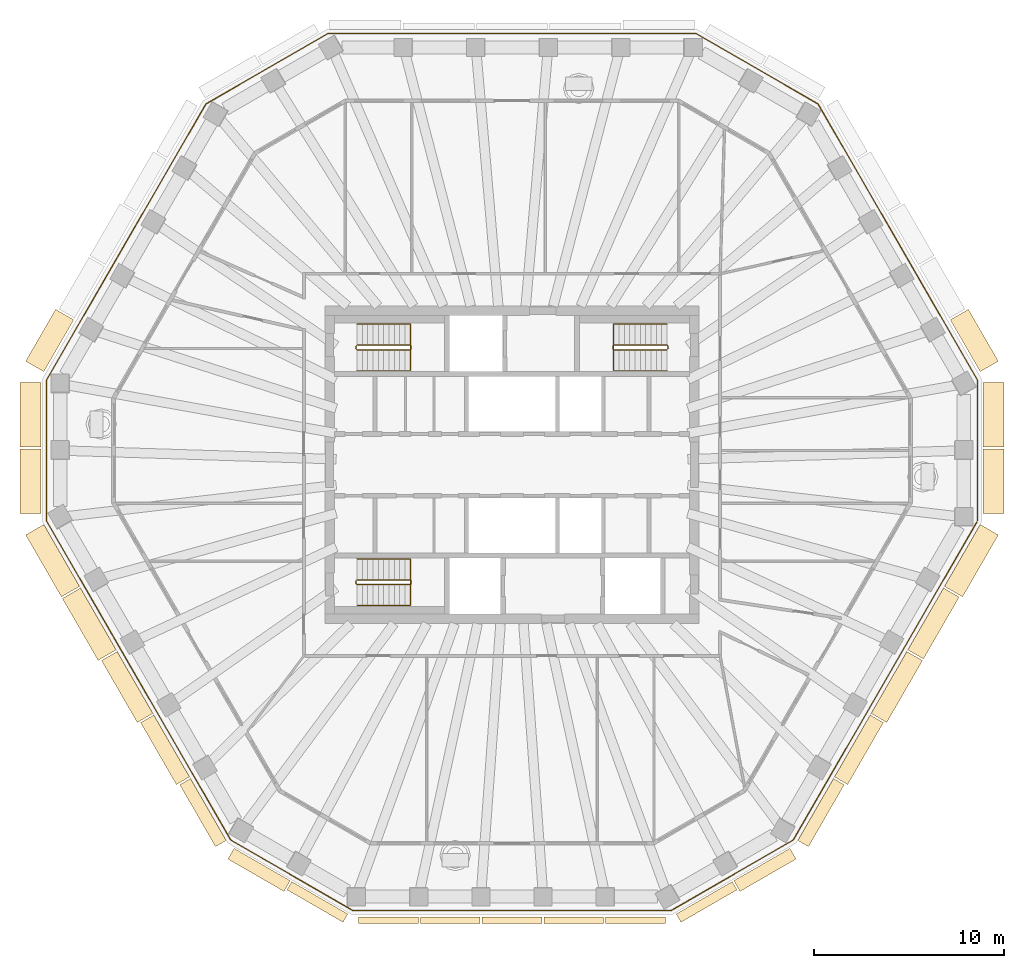
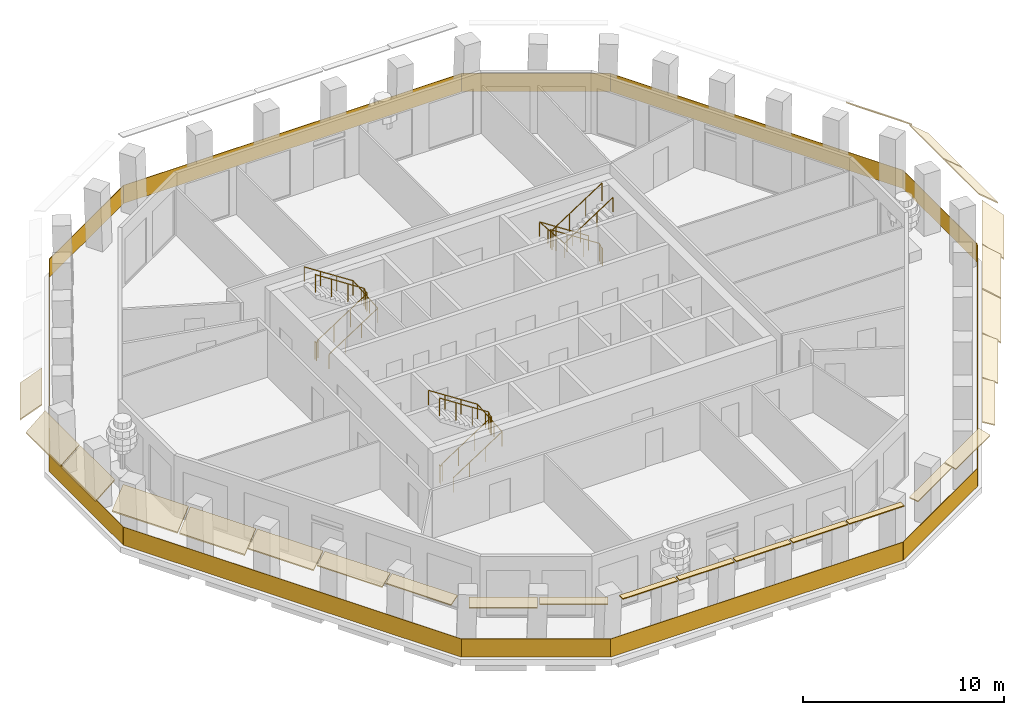
# One storey, part 8 of 11: 25 coverings, 7 railings.
"""IFC4 building model written with IfcOpenShell, lengths in metres."""

from ifc_helpers import new_model, si_unit, direction, frame, origin, origin_2d, place, context, subcontext, project, spatial, polyline, rectangle, circle, outline, extrude, material, layer, layer_set, type_object, element, save


model = new_model("IFC4")

# Units and contexts
model_context = context("Model", 3, precision=1e-05, world=origin(), true_north=direction((0.0, 1.0)))
body_context = subcontext(model_context, "Body", "Model", "MODEL_VIEW")
ifc_project = project(units=[si_unit("LENGTHUNIT", "METRE"), si_unit("AREAUNIT", "SQUARE_METRE"), si_unit("VOLUMEUNIT", "CUBIC_METRE"), si_unit("PLANEANGLEUNIT", "RADIAN"), si_unit("MASSUNIT", "GRAM", prefix="KILO")], contexts=[model_context])

# Site, building, storey
site_placement = place(None, origin())
site = spatial("IfcSite", under=ifc_project, at=site_placement, CompositionType="ELEMENT")
building_placement = place(site_placement, origin())
building = spatial("IfcBuilding", under=site, at=building_placement, Name="Frailejon Research Tower", CompositionType="ELEMENT")
storey_placement = place(building_placement, frame((0.0, 0.0, 287.0)))
storey = spatial("IfcBuildingStorey", under=building, at=storey_placement, Name="L63", CompositionType="ELEMENT", Elevation=287.0)

# Coverings
ifc_material_1 = material(Name="Precast concrete C50/60", Category="concrete")
ifc_layer_1 = layer(ifc_material_1, 0.06005859375)
ifc_layer_set_1 = layer_set([ifc_layer_1], Name="Brim blade depth 1100")
covering_type_1 = type_object("IfcCoveringType", Name="Brim blade depth 1100", PredefinedType="CLADDING", material=ifc_layer_set_1)
covering_1_placement = place(storey_placement, frame((24.78173828125, 0.829833984375, 3.85009765625), z_axis=(0.0, -1.0, 0.0), x_axis=(1.0, 0.0, 0.0)))
element("IfcCovering", 1, at=covering_1_placement, inside=storey, type_object=covering_type_1, Name="Brim blade L63", PredefinedType="CLADDING", context=body_context, shape_type="SweptSolid", body=[
    extrude(outline(polyline([(0.0, -0.078369140625), (1.10009765625, -1.001220703125), (1.10009765625, -0.923095703125), (0.0, 0.0), (0.0, -0.078369140625)])), origin(), (0.0, 0.0, 1.0), 3.40185546875),
])
covering_2_placement = place(storey_placement, frame((24.78173828125, 4.331787109375, 3.85009765625), z_axis=(0.0, -1.0, 0.0), x_axis=(1.0, 0.0, 0.0)))
element("IfcCovering", 2, at=covering_2_placement, inside=storey, type_object=covering_type_1, Name="Brim blade L63", PredefinedType="CLADDING", context=body_context, shape_type="SweptSolid", body=[
    extrude(outline(polyline([(0.0, -0.078369140625), (1.10009765625, -1.001220703125), (1.10009765625, -0.923095703125), (0.0, 0.0), (0.0, -0.078369140625)])), origin(), (0.0, 0.0, 1.0), 3.402099609375),
])
for number, where, z_axis, x_axis, name in (
    (3, (23.055419921875, 7.626708984375, 3.85009765625), (0.499999589783, -0.866025640623, 0.0), (0.866025640623, 0.499999589783, 0.0), "Brim blade L63"),
    (4, (-24.62939453125, 4.900146484375, 3.85009765625), (0.499999589783, 0.866025640623, 0.0), (-0.866025640623, 0.499999589783, 0.0), "Brim blade L63"),
):
    element("IfcCovering", number, at=place(storey_placement, frame(where, z_axis=z_axis, x_axis=x_axis)), inside=storey, type_object=covering_type_1, Name=name, PredefinedType="CLADDING", context=body_context, shape_type="SweptSolid", body=[
        extrude(outline(polyline([(0.0, -0.078369140625), (1.10009765625, -1.001220703125), (1.10009765625, -0.923095703125), (0.0, 0.0), (0.0, -0.078369140625)])), origin(), (0.0, 0.0, 1.0), 3.1484375),
    ])
covering_3_placement = place(storey_placement, frame((-24.78173828125, 0.929931640625, 3.85009765625), z_axis=(0.0, 1.0, 0.0), x_axis=(-1.0, 0.0, 0.0)))
element("IfcCovering", 5, at=covering_3_placement, inside=storey, type_object=covering_type_1, Name="Brim blade L63", PredefinedType="CLADDING", context=body_context, shape_type="SweptSolid", body=[
    extrude(outline(polyline([(0.0, -0.078369140625), (1.10009765625, -1.001220703125), (1.10009765625, -0.923095703125), (0.0, 0.0), (0.0, -0.078369140625)])), origin(), (0.0, 0.0, 1.0), 3.402099609375),
])
covering_4_placement = place(storey_placement, frame((-24.78173828125, -2.572021484375, 3.85009765625), z_axis=(0.0, 1.0, 0.0), x_axis=(-1.0, 0.0, 0.0)))
element("IfcCovering", 6, at=covering_4_placement, inside=storey, type_object=covering_type_1, Name="Brim blade L63", PredefinedType="CLADDING", context=body_context, shape_type="SweptSolid", body=[
    extrude(outline(polyline([(0.0, -0.078369140625), (1.10009765625, -1.001220703125), (1.10009765625, -0.923095703125), (0.0, 0.0), (0.0, -0.078369140625)])), origin(), (0.0, 0.0, 1.0), 3.40185546875),
])
for number, where, z_axis, x_axis, name in (
    (7, (-22.75048828125, -6.39501953125, 3.85009765625), (-0.499991695271, 0.866030198469, 0.0), (-0.866030198469, -0.499991695271, 0.0), "Brim blade L63"),
    (8, (-20.821533203125, -9.736083984375, 3.85009765625), (-0.499991695271, 0.866030198469, 0.0), (-0.866030198469, -0.499991695271, 0.0), "Brim blade L63"),
    (9, (24.62939453125, -3.140380859375, 3.85009765625), (-0.499991695271, -0.866030198469, 0.0), (0.866030198469, -0.499991695271, 0.0), "Brim blade L63"),
):
    element("IfcCovering", number, at=place(storey_placement, frame(where, z_axis=z_axis, x_axis=x_axis)), inside=storey, type_object=covering_type_1, Name=name, PredefinedType="CLADDING", context=body_context, shape_type="SweptSolid", body=[
        extrude(outline(polyline([(0.0, -0.078369140625), (1.10009765625, -1.001220703125), (1.10009765625, -0.923095703125), (0.0, 0.0), (0.0, -0.078369140625)])), origin(), (0.0, 0.0, 1.0), 3.758056640625),
    ])
ifc_material_2 = material(Name="Precast concrete C50/60", Category="concrete")
ifc_layer_2 = layer(ifc_material_2, 0.06005859375)
ifc_layer_set_2 = layer_set([ifc_layer_2], Name="Brim blade depth 350")
covering_type_2 = type_object("IfcCoveringType", Name="Brim blade depth 350", PredefinedType="CLADDING", material=ifc_layer_set_2)
for number, where, z_axis, x_axis, name in (
    (10, (-4.922607421875, -23.77978515625, 3.85009765625), (-1.0, 0.0, 0.0), (0.0, -1.0, 0.0), "Brim blade L63"),
    (11, (-1.67431640625, -23.77978515625, 3.85009765625), (-1.0, 0.0, 0.0), (0.0, -1.0, 0.0), "Brim blade L63"),
    (12, (1.57421875, -23.77978515625, 3.85009765625), (-1.0, 0.0, 0.0), (0.0, -1.0, 0.0), "Brim blade L63"),
    (13, (4.82275390625, -23.77978515625, 3.85009765625), (-1.0, 0.0, 0.0), (0.0, -1.0, 0.0), "Brim blade L63"),
    (14, (8.071044921875, -23.77978515625, 3.85009765625), (-1.0, 0.0, 0.0), (0.0, -1.0, 0.0), "Brim blade L63"),
):
    element("IfcCovering", number, at=place(storey_placement, frame(where, z_axis=z_axis, x_axis=x_axis)), inside=storey, type_object=covering_type_2, Name=name, PredefinedType="CLADDING", context=body_context, shape_type="SweptSolid", body=[
        extrude(outline(polyline([(0.0, -0.06005859375), (0.35009765625, -0.06005859375), (0.35009765625, 0.0), (0.0, 0.0), (0.0, -0.06005859375)])), origin(), (0.0, 0.0, 1.0), 3.1484375),
    ])
ifc_material_3 = material(Name="Precast concrete C50/60", Category="concrete")
ifc_layer_3 = layer(ifc_material_3, 0.06005859375)
ifc_layer_set_3 = layer_set([ifc_layer_3], Name="Brim blade depth 500")
covering_type_3 = type_object("IfcCoveringType", Name="Brim blade depth 500", PredefinedType="CLADDING", material=ifc_layer_set_3)
for number, where, z_axis, x_axis, name in (
    (15, (-8.639404296875, -23.627685546875, 3.85009765625), (-0.866036272098, 0.499981175056, 0.0), (-0.499981175056, -0.866036272098, 0.0), "Brim blade L63"),
    (16, (11.585693359375, -21.9267578125, 3.85009765625), (-0.866036272098, -0.499981175056, 0.0), (0.499981175056, -0.866036272098, 0.0), "Brim blade L63"),
):
    element("IfcCovering", number, at=place(storey_placement, frame(where, z_axis=z_axis, x_axis=x_axis)), inside=storey, type_object=covering_type_3, Name=name, PredefinedType="CLADDING", context=body_context, shape_type="SweptSolid", body=[
        extrude(outline(polyline([(0.0, -0.060546875), (0.5, -0.130859375), (0.5, -0.0703125), (0.0, 0.0), (0.0, -0.060546875)])), origin(), (0.0, 0.0, 1.0), 3.40185546875),
    ])
ifc_material_4 = material(Name="Precast concrete C50/60", Category="concrete")
ifc_layer_4 = layer(ifc_material_4, 0.06005859375)
ifc_layer_set_4 = layer_set([ifc_layer_4], Name="Brim blade depth 650")
covering_type_4 = type_object("IfcCoveringType", Name="Brim blade depth 650", PredefinedType="CLADDING", material=ifc_layer_set_4)
covering_5_placement = place(storey_placement, frame((-15.034423828125, -19.759765625, 3.85009765625), z_axis=(-0.499991695271, 0.866030198469, 0.0), x_axis=(-0.866030198469, -0.499991695271, 0.0)))
element("IfcCovering", 17, at=covering_5_placement, inside=storey, type_object=covering_type_4, Name="Brim blade L63", PredefinedType="CLADDING", context=body_context, shape_type="SweptSolid", body=[
    extrude(outline(polyline([(0.0, -0.0625), (0.64990234375, -0.248779296875), (0.64990234375, -0.186279296875), (0.0, 0.0), (0.0, -0.0625)])), origin(), (0.0, 0.0, 1.0), 3.758056640625),
])
for number, where, z_axis, x_axis, name in (
    (18, (-11.672119140625, -21.876708984375, 3.85009765625), (-0.866023907216, 0.500002592124, 0.0), (-0.500002592124, -0.866023907216, 0.0), "Brim blade L63"),
    (19, (14.618408203125, -20.17578125, 3.85009765625), (-0.866023907216, -0.500002592124, 0.0), (0.500002592124, -0.866023907216, 0.0), "Brim blade L63"),
):
    element("IfcCovering", number, at=place(storey_placement, frame(where, z_axis=z_axis, x_axis=x_axis)), inside=storey, type_object=covering_type_4, Name=name, PredefinedType="CLADDING", context=body_context, shape_type="SweptSolid", body=[
        extrude(outline(polyline([(0.0, -0.0625), (0.64990234375, -0.248779296875), (0.64990234375, -0.186279296875), (0.0, 0.0), (0.0, -0.0625)])), origin(), (0.0, 0.0, 1.0), 3.402099609375),
    ])
covering_6_placement = place(storey_placement, frame((16.913330078125, -16.505126953125, 3.85009765625), z_axis=(-0.499991695271, -0.866030198469, 0.0), x_axis=(0.866030198469, -0.499991695271, 0.0)))
element("IfcCovering", 20, at=covering_6_placement, inside=storey, type_object=covering_type_4, Name="Brim blade L63", PredefinedType="CLADDING", context=body_context, shape_type="SweptSolid", body=[
    extrude(outline(polyline([(0.0, -0.0625), (0.64990234375, -0.248779296875), (0.64990234375, -0.186279296875), (0.0, 0.0), (0.0, -0.0625)])), origin(), (0.0, 0.0, 1.0), 3.758056640625),
])
ifc_material_5 = material(Name="Precast concrete C50/60", Category="concrete")
ifc_layer_5 = layer(ifc_material_5, 0.06005859375)
ifc_layer_set_5 = layer_set([ifc_layer_5], Name="Brim blade depth 800")
covering_type_5 = type_object("IfcCoveringType", Name="Brim blade depth 800", PredefinedType="CLADDING", material=ifc_layer_set_5)
for number, where, z_axis, x_axis, name in (
    (21, (-16.96337890625, -16.41845703125, 3.85009765625), (-0.499991695271, 0.866030198469, 0.0), (-0.866030198469, -0.499991695271, 0.0), "Brim blade L63"),
    (22, (18.84228515625, -13.163818359375, 3.85009765625), (-0.499991695271, -0.866030198469, 0.0), (0.866030198469, -0.499991695271, 0.0), "Brim blade L63"),
):
    element("IfcCovering", number, at=place(storey_placement, frame(where, z_axis=z_axis, x_axis=x_axis)), inside=storey, type_object=covering_type_5, Name=name, PredefinedType="CLADDING", context=body_context, shape_type="SweptSolid", body=[
        extrude(outline(polyline([(0.0, -0.065673828125), (0.800048828125, -0.421875), (0.800048828125, -0.356201171875), (0.0, 0.0), (0.0, -0.065673828125)])), origin(), (0.0, 0.0, 1.0), 3.758056640625),
    ])
ifc_material_6 = material(Name="Precast concrete C50/60", Category="concrete")
ifc_layer_6 = layer(ifc_material_6, 0.06005859375)
ifc_layer_set_6 = layer_set([ifc_layer_6], Name="Brim blade depth 950")
covering_type_6 = type_object("IfcCoveringType", Name="Brim blade depth 950", PredefinedType="CLADDING", material=ifc_layer_set_6)
for number, where, z_axis, x_axis, name in (
    (23, (-18.892333984375, -13.077392578125, 3.85009765625), (-0.500011134954, 0.86601897492, 0.0), (-0.86601897492, -0.500011134954, 0.0), "Brim blade L63"),
    (24, (20.771484375, -9.82275390625, 3.85009765625), (-0.500011134954, -0.86601897492, 0.0), (0.86601897492, -0.500011134954, 0.0), "Brim blade L63"),
    (25, (22.700439453125, -6.4814453125, 3.85009765625), (-0.499991695271, -0.866030198469, 0.0), (0.866030198469, -0.499991695271, 0.0), "Brim blade L63"),
):
    element("IfcCovering", number, at=place(storey_placement, frame(where, z_axis=z_axis, x_axis=x_axis)), inside=storey, type_object=covering_type_6, Name=name, PredefinedType="CLADDING", context=body_context, shape_type="SweptSolid", body=[
        extrude(outline(polyline([(0.0, -0.07080078125), (0.949951171875, -0.664306640625), (0.949951171875, -0.593505859375), (0.0, 0.0), (0.0, -0.07080078125)])), origin(), (0.0, 0.0, 1.0), 3.758056640625),
    ])

# Railings
ifc_material_7 = material(Name="Laminated glass balustrade", Category="glass")
railing_type_1 = type_object("IfcRailingType", Name="Glass guard 1100", PredefinedType="GUARDRAIL", material=ifc_material_7)
railing_1_placement = place(storey_placement, frame((24.4912109375, -2.94384765625, 0.0)))
element("IfcRailing", 26, at=railing_1_placement, inside=storey, type_object=railing_type_1, Name="Loggia guard L63", PredefinedType="GUARDRAIL", context=body_context, shape_type="SweptSolid", body=[
    extrude(rectangle(XDim=7.396240234375, YDim=0.030029296875, at=origin_2d()), frame((0.0, 3.6982421875, 0.0), z_axis=(0.0, 0.0, 1.0), x_axis=(0.0, 1.0, 0.0)), (0.0, 0.0, 1.0), 1.10009765625),
    extrude(rectangle(XDim=16.779541015625, YDim=0.030029296875, at=origin_2d()), frame((-4.19482421875, 14.662109375, 0.0), z_axis=(0.0, 0.0, 1.0), x_axis=(-0.500005834055, 0.866022035465, 0.0)), (0.0, 0.0, 1.0), 1.10009765625),
    extrude(rectangle(XDim=7.396240234375, YDim=0.030029296875, at=origin_2d()), frame((-11.592529296875, 23.77685546875, 0.0), z_axis=(0.0, 0.0, 1.0), x_axis=(-0.866030573133, 0.49999104632, 0.0)), (0.0, 0.0, 1.0), 1.10009765625),
    extrude(rectangle(XDim=19.39208984375, YDim=0.030029296875, at=origin_2d()), frame((-24.4912109375, 25.625732421875, 0.0), z_axis=(0.0, 0.0, 1.0), x_axis=(-1.0, 0.0, 0.0)), (0.0, 0.0, 1.0), 1.10009765625),
    extrude(rectangle(XDim=7.396240234375, YDim=0.030029296875, at=origin_2d()), frame((-37.389892578125, 23.77685546875, 0.0), z_axis=(0.0, 0.0, 1.0), x_axis=(-0.866030573133, -0.49999104632, 0.0)), (0.0, 0.0, 1.0), 1.10009765625),
    extrude(rectangle(XDim=16.779541015625, YDim=0.030029296875, at=origin_2d()), frame((-44.78759765625, 14.662109375, 0.0), z_axis=(0.0, 0.0, 1.0), x_axis=(-0.500005834055, -0.866022035465, 0.0)), (0.0, 0.0, 1.0), 1.10009765625),
    extrude(rectangle(XDim=7.396240234375, YDim=0.030029296875, at=origin_2d()), frame((-48.982421875, 3.6982421875, 0.0), z_axis=(0.0, 0.0, 1.0), x_axis=(0.0, -1.0, 0.0)), (0.0, 0.0, 1.0), 1.10009765625),
    extrude(rectangle(XDim=19.392333984375, YDim=0.030029296875, at=origin_2d()), frame((-44.13427734375, -8.39697265625, 0.0), z_axis=(0.0, 0.0, 1.0), x_axis=(0.500006159414, -0.866021847616, 0.0)), (0.0, 0.0, 1.0), 1.10009765625),
    extrude(rectangle(XDim=7.39599609375, YDim=0.030029296875, at=origin_2d()), frame((-36.08349609375, -18.64306640625, 0.0), z_axis=(0.0, 0.0, 1.0), x_axis=(0.866022320763, -0.500005339912, 0.0)), (0.0, 0.0, 1.0), 1.10009765625),
    extrude(rectangle(XDim=16.77978515625, YDim=0.030029296875, at=origin_2d()), frame((-24.4912109375, -20.4921875, 0.0), z_axis=(0.0, 0.0, 1.0), x_axis=(1.0, 0.0, 0.0)), (0.0, 0.0, 1.0), 1.10009765625),
    extrude(rectangle(XDim=7.39599609375, YDim=0.030029296875, at=origin_2d()), frame((-12.89892578125, -18.64306640625, 0.0), z_axis=(0.0, 0.0, 1.0), x_axis=(0.866022320763, 0.500005339912, 0.0)), (0.0, 0.0, 1.0), 1.10009765625),
    extrude(rectangle(XDim=19.322265625, YDim=0.030029296875, at=origin_2d()), frame((-4.86572265625, -8.42724609375, 0.0), z_axis=(0.0, 0.0, 1.0), x_axis=(0.499998438289, 0.866026305437, 0.0)), (0.0, 0.0, 1.0), 1.10009765625),
])
ifc_material_8 = material(Name="Stainless steel", Category="steel")
railing_type_2 = type_object("IfcRailingType", Name="Stair guard 1100", PredefinedType="GUARDRAIL", material=ifc_material_8)
railing_2_placement = place(storey_placement, frame((-8.199951171875, 6.25, 0.0)))
element("IfcRailing", 27, at=railing_2_placement, inside=storey, type_object=railing_type_2, Name="L63 ST1 stair guard 1", PredefinedType="GUARDRAIL", context=body_context, shape_type="SweptSolid", body=[
    extrude(circle(Radius=0.02392578125, at=origin_2d()), frame((0.0, 0.0, 1.076171875), z_axis=(0.0, -1.0, 0.0), x_axis=(1.0, 0.0, 0.0)), (0.0, 0.0, 1.0), 0.14990234375),
    extrude(circle(Radius=0.02392578125, at=origin_2d()), frame((0.0, -0.14990234375, 1.076171875), z_axis=(0.256435381639, -0.256435381639, 0.931923704005), x_axis=(0.707106781187, 0.707106781187, 0.0)), (0.0, 0.0, 1.0), 0.195068359375),
    extrude(circle(Radius=0.02392578125, at=origin_2d()), frame((0.050048828125, -0.199951171875, 1.2578125), z_axis=(0.83868413941, 0.0, 0.544618136222), x_axis=(0.0, 1.0, 0.0)), (0.0, 0.0, 1.0), 3.33837890625),
    extrude(circle(Radius=0.02392578125, at=origin_2d()), frame((2.849853515625, -0.199951171875, 3.076171875), z_axis=(0.707106781187, 0.707106781187, 0.0), x_axis=(-0.707106781187, 0.707106781187, 0.0)), (0.0, 0.0, 1.0), 0.07080078125),
    extrude(circle(Radius=0.02392578125, at=origin_2d()), frame((2.89990234375, -0.14990234375, 3.076171875), z_axis=(0.0, 1.0, 0.0), x_axis=(-1.0, 0.0, 0.0)), (0.0, 0.0, 1.0), 0.14990234375),
    extrude(circle(Radius=0.02392578125, at=origin_2d()), frame((2.89990234375, 0.0, 3.076171875), z_axis=(-0.256435381639, 0.256435381639, 0.931923704005), x_axis=(-0.707106781187, -0.707106781187, 0.0)), (0.0, 0.0, 1.0), 0.195068359375),
    extrude(circle(Radius=0.02392578125, at=origin_2d()), frame((2.849853515625, 0.050048828125, 3.2578125), z_axis=(-0.83868413941, 0.0, 0.544618136222), x_axis=(0.0, -1.0, 0.0)), (0.0, 0.0, 1.0), 3.33837890625),
    extrude(circle(Radius=0.02099609375, at=origin_2d()), origin(), (0.0, 0.0, 1.0), 1.052001953125),
    extrude(circle(Radius=0.02099609375, at=origin_2d()), frame((0.0, -0.14990234375, 0.0)), (0.0, 0.0, 1.0), 1.052001953125),
    extrude(circle(Radius=0.02099609375, at=origin_2d()), frame((0.050048828125, -0.199951171875, 0.181884765625)), (0.0, 0.0, 1.0), 1.052001953125),
    extrude(circle(Radius=0.02099609375, at=origin_2d()), frame((0.9833984375, -0.199951171875, 0.787841796875)), (0.0, 0.0, 1.0), 1.052001953125),
    extrude(circle(Radius=0.02099609375, at=origin_2d()), frame((1.91650390625, -0.199951171875, 1.39404296875)), (0.0, 0.0, 1.0), 1.052001953125),
    extrude(circle(Radius=0.02099609375, at=origin_2d()), frame((2.849853515625, -0.199951171875, 2.0)), (0.0, 0.0, 1.0), 1.052001953125),
    extrude(circle(Radius=0.02099609375, at=origin_2d()), frame((2.89990234375, -0.14990234375, 2.0)), (0.0, 0.0, 1.0), 1.052001953125),
    extrude(circle(Radius=0.02099609375, at=origin_2d()), frame((2.89990234375, 0.0, 2.0)), (0.0, 0.0, 1.0), 1.052001953125),
    extrude(circle(Radius=0.02099609375, at=origin_2d()), frame((2.849853515625, 0.050048828125, 2.181884765625)), (0.0, 0.0, 1.0), 1.052001953125),
    extrude(circle(Radius=0.02099609375, at=origin_2d()), frame((1.91650390625, 0.050048828125, 2.787841796875)), (0.0, 0.0, 1.0), 1.052001953125),
    extrude(circle(Radius=0.02099609375, at=origin_2d()), frame((0.9833984375, 0.050048828125, 3.39404296875)), (0.0, 0.0, 1.0), 1.052001953125),
    extrude(circle(Radius=0.02099609375, at=origin_2d()), frame((0.050048828125, 0.050048828125, 4.0)), (0.0, 0.0, 1.0), 1.052001953125),
])
railing_3_placement = place(storey_placement, frame((-8.199951171875, -6.10009765625, 0.0)))
element("IfcRailing", 28, at=railing_3_placement, inside=storey, type_object=railing_type_2, Name="L63 ST2 stair guard 1", PredefinedType="GUARDRAIL", context=body_context, shape_type="SweptSolid", body=[
    extrude(circle(Radius=0.02392578125, at=origin_2d()), frame((0.0, 0.0, 1.076171875), z_axis=(0.0, -1.0, 0.0), x_axis=(1.0, 0.0, 0.0)), (0.0, 0.0, 1.0), 0.14990234375),
    extrude(circle(Radius=0.02392578125, at=origin_2d()), frame((0.0, -0.14990234375, 1.076171875), z_axis=(0.256435381639, -0.256435381639, 0.931923704005), x_axis=(0.707106781187, 0.707106781187, 0.0)), (0.0, 0.0, 1.0), 0.195068359375),
    extrude(circle(Radius=0.02392578125, at=origin_2d()), frame((0.050048828125, -0.199951171875, 1.2578125), z_axis=(0.83868413941, 0.0, 0.544618136222), x_axis=(0.0, 1.0, 0.0)), (0.0, 0.0, 1.0), 3.33837890625),
    extrude(circle(Radius=0.02392578125, at=origin_2d()), frame((2.849853515625, -0.199951171875, 3.076171875), z_axis=(0.707106781187, 0.707106781187, 0.0), x_axis=(-0.707106781187, 0.707106781187, 0.0)), (0.0, 0.0, 1.0), 0.07080078125),
    extrude(circle(Radius=0.02392578125, at=origin_2d()), frame((2.89990234375, -0.14990234375, 3.076171875), z_axis=(0.0, 1.0, 0.0), x_axis=(-1.0, 0.0, 0.0)), (0.0, 0.0, 1.0), 0.14990234375),
    extrude(circle(Radius=0.02392578125, at=origin_2d()), frame((2.89990234375, 0.0, 3.076171875), z_axis=(-0.256435381639, 0.256435381639, 0.931923704005), x_axis=(-0.707106781187, -0.707106781187, 0.0)), (0.0, 0.0, 1.0), 0.195068359375),
    extrude(circle(Radius=0.02392578125, at=origin_2d()), frame((2.849853515625, 0.050048828125, 3.2578125), z_axis=(-0.83868413941, 0.0, 0.544618136222), x_axis=(0.0, -1.0, 0.0)), (0.0, 0.0, 1.0), 3.33837890625),
    extrude(circle(Radius=0.02099609375, at=origin_2d()), origin(), (0.0, 0.0, 1.0), 1.052001953125),
    extrude(circle(Radius=0.02099609375, at=origin_2d()), frame((0.0, -0.14990234375, 0.0)), (0.0, 0.0, 1.0), 1.052001953125),
    extrude(circle(Radius=0.02099609375, at=origin_2d()), frame((0.050048828125, -0.199951171875, 0.181884765625)), (0.0, 0.0, 1.0), 1.052001953125),
    extrude(circle(Radius=0.02099609375, at=origin_2d()), frame((0.9833984375, -0.199951171875, 0.787841796875)), (0.0, 0.0, 1.0), 1.052001953125),
    extrude(circle(Radius=0.02099609375, at=origin_2d()), frame((1.91650390625, -0.199951171875, 1.39404296875)), (0.0, 0.0, 1.0), 1.052001953125),
    extrude(circle(Radius=0.02099609375, at=origin_2d()), frame((2.849853515625, -0.199951171875, 2.0)), (0.0, 0.0, 1.0), 1.052001953125),
    extrude(circle(Radius=0.02099609375, at=origin_2d()), frame((2.89990234375, -0.14990234375, 2.0)), (0.0, 0.0, 1.0), 1.052001953125),
    extrude(circle(Radius=0.02099609375, at=origin_2d()), frame((2.89990234375, 0.0, 2.0)), (0.0, 0.0, 1.0), 1.052001953125),
    extrude(circle(Radius=0.02099609375, at=origin_2d()), frame((2.849853515625, 0.050048828125, 2.181884765625)), (0.0, 0.0, 1.0), 1.052001953125),
    extrude(circle(Radius=0.02099609375, at=origin_2d()), frame((1.91650390625, 0.050048828125, 2.787841796875)), (0.0, 0.0, 1.0), 1.052001953125),
    extrude(circle(Radius=0.02099609375, at=origin_2d()), frame((0.9833984375, 0.050048828125, 3.39404296875)), (0.0, 0.0, 1.0), 1.052001953125),
    extrude(circle(Radius=0.02099609375, at=origin_2d()), frame((0.050048828125, 0.050048828125, 4.0)), (0.0, 0.0, 1.0), 1.052001953125),
])
railing_4_placement = place(storey_placement, frame((8.199951171875, 6.10009765625, 0.0)))
element("IfcRailing", 29, at=railing_4_placement, inside=storey, type_object=railing_type_2, Name="L63 ST3 stair guard 1", PredefinedType="GUARDRAIL", context=body_context, shape_type="SweptSolid", body=[
    extrude(circle(Radius=0.02392578125, at=origin_2d()), frame((0.0, 0.0, 1.076171875), z_axis=(0.0, 1.0, 0.0), x_axis=(-1.0, 0.0, 0.0)), (0.0, 0.0, 1.0), 0.14990234375),
    extrude(circle(Radius=0.02392578125, at=origin_2d()), frame((0.0, 0.14990234375, 1.076171875), z_axis=(-0.256435381639, 0.256435381639, 0.931923704005), x_axis=(-0.707106781187, -0.707106781187, 0.0)), (0.0, 0.0, 1.0), 0.195068359375),
    extrude(circle(Radius=0.02392578125, at=origin_2d()), frame((-0.050048828125, 0.199951171875, 1.2578125), z_axis=(-0.83868413941, 0.0, 0.544618136222), x_axis=(0.0, -1.0, 0.0)), (0.0, 0.0, 1.0), 3.33837890625),
    extrude(circle(Radius=0.02392578125, at=origin_2d()), frame((-2.849853515625, 0.199951171875, 3.076171875), z_axis=(-0.707106781187, -0.707106781187, 0.0), x_axis=(0.707106781187, -0.707106781187, 0.0)), (0.0, 0.0, 1.0), 0.07080078125),
    extrude(circle(Radius=0.02392578125, at=origin_2d()), frame((-2.89990234375, 0.14990234375, 3.076171875), z_axis=(0.0, -1.0, 0.0), x_axis=(1.0, 0.0, 0.0)), (0.0, 0.0, 1.0), 0.14990234375),
    extrude(circle(Radius=0.02392578125, at=origin_2d()), frame((-2.89990234375, 0.0, 3.076171875), z_axis=(0.256435381639, -0.256435381639, 0.931923704005), x_axis=(0.707106781187, 0.707106781187, 0.0)), (0.0, 0.0, 1.0), 0.195068359375),
    extrude(circle(Radius=0.02392578125, at=origin_2d()), frame((-2.849853515625, -0.050048828125, 3.2578125), z_axis=(0.83868413941, 0.0, 0.544618136222), x_axis=(0.0, 1.0, 0.0)), (0.0, 0.0, 1.0), 3.33837890625),
    extrude(circle(Radius=0.02099609375, at=origin_2d()), origin(), (0.0, 0.0, 1.0), 1.052001953125),
    extrude(circle(Radius=0.02099609375, at=origin_2d()), frame((0.0, 0.14990234375, 0.0)), (0.0, 0.0, 1.0), 1.052001953125),
    extrude(circle(Radius=0.02099609375, at=origin_2d()), frame((-0.050048828125, 0.199951171875, 0.181884765625)), (0.0, 0.0, 1.0), 1.052001953125),
    extrude(circle(Radius=0.02099609375, at=origin_2d()), frame((-0.9833984375, 0.199951171875, 0.787841796875)), (0.0, 0.0, 1.0), 1.052001953125),
    extrude(circle(Radius=0.02099609375, at=origin_2d()), frame((-1.91650390625, 0.199951171875, 1.39404296875)), (0.0, 0.0, 1.0), 1.052001953125),
    extrude(circle(Radius=0.02099609375, at=origin_2d()), frame((-2.849853515625, 0.199951171875, 2.0)), (0.0, 0.0, 1.0), 1.052001953125),
    extrude(circle(Radius=0.02099609375, at=origin_2d()), frame((-2.89990234375, 0.14990234375, 2.0)), (0.0, 0.0, 1.0), 1.052001953125),
    extrude(circle(Radius=0.02099609375, at=origin_2d()), frame((-2.89990234375, 0.0, 2.0)), (0.0, 0.0, 1.0), 1.052001953125),
    extrude(circle(Radius=0.02099609375, at=origin_2d()), frame((-2.849853515625, -0.050048828125, 2.181884765625)), (0.0, 0.0, 1.0), 1.052001953125),
    extrude(circle(Radius=0.02099609375, at=origin_2d()), frame((-1.91650390625, -0.050048828125, 2.787841796875)), (0.0, 0.0, 1.0), 1.052001953125),
    extrude(circle(Radius=0.02099609375, at=origin_2d()), frame((-0.9833984375, -0.050048828125, 3.39404296875)), (0.0, 0.0, 1.0), 1.052001953125),
    extrude(circle(Radius=0.02099609375, at=origin_2d()), frame((-0.050048828125, -0.050048828125, 4.0)), (0.0, 0.0, 1.0), 1.052001953125),
])
ifc_material_9 = material(Name="Stainless steel", Category="steel")
railing_type_3 = type_object("IfcRailingType", Name="Stair handrail 900", PredefinedType="HANDRAIL", material=ifc_material_9)
railing_5_placement = place(storey_placement, frame((-8.14990234375, 4.949951171875, 0.181884765625)))
element("IfcRailing", 30, at=railing_5_placement, inside=storey, type_object=railing_type_3, Name="L63 ST1 stair handrail 1", PredefinedType="HANDRAIL", context=body_context, shape_type="SweptSolid", body=[
    extrude(circle(Radius=0.02392578125, at=origin_2d()), frame((0.0, 0.0, 0.8759765625), z_axis=(0.83868413941, 0.0, 0.544618136222), x_axis=(0.0, 1.0, 0.0)), (0.0, 0.0, 1.0), 3.33837890625),
    extrude(circle(Radius=0.02392578125, at=origin_2d()), frame((2.7998046875, 0.0, 2.69384765625), z_axis=(0.0, 0.997255538948, 0.074036410216), x_axis=(-1.0, 0.0, 0.0)), (0.0, 0.0, 1.0), 2.456787109375),
    extrude(circle(Radius=0.02392578125, at=origin_2d()), frame((2.7998046875, 2.449951171875, 2.8759765625), z_axis=(-0.83868413941, 0.0, 0.544618136222), x_axis=(0.0, -1.0, 0.0)), (0.0, 0.0, 1.0), 3.33837890625),
    extrude(circle(Radius=0.02099609375, at=origin_2d()), origin(), (0.0, 0.0, 1.0), 0.851806640625),
    extrude(circle(Radius=0.02099609375, at=origin_2d()), frame((0.933349609375, 0.0, 0.60595703125)), (0.0, 0.0, 1.0), 0.851806640625),
    extrude(circle(Radius=0.02099609375, at=origin_2d()), frame((1.866455078125, 0.0, 1.212158203125)), (0.0, 0.0, 1.0), 0.851806640625),
    extrude(circle(Radius=0.02099609375, at=origin_2d()), frame((2.7998046875, 0.0, 1.818115234375)), (0.0, 0.0, 1.0), 0.851806640625),
    extrude(circle(Radius=0.02099609375, at=origin_2d()), frame((2.7998046875, 0.816650390625, 1.878662109375)), (0.0, 0.0, 1.0), 0.851806640625),
    extrude(circle(Radius=0.02099609375, at=origin_2d()), frame((2.7998046875, 1.63330078125, 1.939453125)), (0.0, 0.0, 1.0), 0.851806640625),
    extrude(circle(Radius=0.02099609375, at=origin_2d()), frame((2.7998046875, 2.449951171875, 2.0)), (0.0, 0.0, 1.0), 0.851806640625),
    extrude(circle(Radius=0.02099609375, at=origin_2d()), frame((1.866455078125, 2.449951171875, 2.60595703125)), (0.0, 0.0, 1.0), 0.851806640625),
    extrude(circle(Radius=0.02099609375, at=origin_2d()), frame((0.933349609375, 2.449951171875, 3.212158203125)), (0.0, 0.0, 1.0), 0.851806640625),
    extrude(circle(Radius=0.02099609375, at=origin_2d()), frame((0.0, 2.449951171875, 3.818115234375)), (0.0, 0.0, 1.0), 0.851806640625),
])
railing_6_placement = place(storey_placement, frame((-8.14990234375, -7.39990234375, 0.181884765625)))
element("IfcRailing", 31, at=railing_6_placement, inside=storey, type_object=railing_type_3, Name="L63 ST2 stair handrail 1", PredefinedType="HANDRAIL", context=body_context, shape_type="SweptSolid", body=[
    extrude(circle(Radius=0.02392578125, at=origin_2d()), frame((0.0, 0.0, 0.8759765625), z_axis=(0.83868413941, 0.0, 0.544618136222), x_axis=(0.0, 1.0, 0.0)), (0.0, 0.0, 1.0), 3.33837890625),
    extrude(circle(Radius=0.02392578125, at=origin_2d()), frame((2.7998046875, 0.0, 2.69384765625), z_axis=(0.0, 0.997255538948, 0.074036410216), x_axis=(-1.0, 0.0, 0.0)), (0.0, 0.0, 1.0), 2.456787109375),
    extrude(circle(Radius=0.02392578125, at=origin_2d()), frame((2.7998046875, 2.449951171875, 2.8759765625), z_axis=(-0.83868413941, 0.0, 0.544618136222), x_axis=(0.0, -1.0, 0.0)), (0.0, 0.0, 1.0), 3.33837890625),
    extrude(circle(Radius=0.02099609375, at=origin_2d()), origin(), (0.0, 0.0, 1.0), 0.851806640625),
    extrude(circle(Radius=0.02099609375, at=origin_2d()), frame((0.933349609375, 0.0, 0.60595703125)), (0.0, 0.0, 1.0), 0.851806640625),
    extrude(circle(Radius=0.02099609375, at=origin_2d()), frame((1.866455078125, 0.0, 1.212158203125)), (0.0, 0.0, 1.0), 0.851806640625),
    extrude(circle(Radius=0.02099609375, at=origin_2d()), frame((2.7998046875, 0.0, 1.818115234375)), (0.0, 0.0, 1.0), 0.851806640625),
    extrude(circle(Radius=0.02099609375, at=origin_2d()), frame((2.7998046875, 0.816650390625, 1.878662109375)), (0.0, 0.0, 1.0), 0.851806640625),
    extrude(circle(Radius=0.02099609375, at=origin_2d()), frame((2.7998046875, 1.63330078125, 1.939453125)), (0.0, 0.0, 1.0), 0.851806640625),
    extrude(circle(Radius=0.02099609375, at=origin_2d()), frame((2.7998046875, 2.449951171875, 2.0)), (0.0, 0.0, 1.0), 0.851806640625),
    extrude(circle(Radius=0.02099609375, at=origin_2d()), frame((1.866455078125, 2.449951171875, 2.60595703125)), (0.0, 0.0, 1.0), 0.851806640625),
    extrude(circle(Radius=0.02099609375, at=origin_2d()), frame((0.933349609375, 2.449951171875, 3.212158203125)), (0.0, 0.0, 1.0), 0.851806640625),
    extrude(circle(Radius=0.02099609375, at=origin_2d()), frame((0.0, 2.449951171875, 3.818115234375)), (0.0, 0.0, 1.0), 0.851806640625),
])
railing_7_placement = place(storey_placement, frame((8.14990234375, 7.39990234375, 0.181884765625)))
element("IfcRailing", 32, at=railing_7_placement, inside=storey, type_object=railing_type_3, Name="L63 ST3 stair handrail 1", PredefinedType="HANDRAIL", context=body_context, shape_type="SweptSolid", body=[
    extrude(circle(Radius=0.02392578125, at=origin_2d()), frame((0.0, 0.0, 0.8759765625), z_axis=(-0.83868413941, 0.0, 0.544618136222), x_axis=(0.0, -1.0, 0.0)), (0.0, 0.0, 1.0), 3.33837890625),
    extrude(circle(Radius=0.02392578125, at=origin_2d()), frame((-2.7998046875, 0.0, 2.69384765625), z_axis=(0.0, -0.997255538948, 0.074036410216), x_axis=(1.0, 0.0, 0.0)), (0.0, 0.0, 1.0), 2.456787109375),
    extrude(circle(Radius=0.02392578125, at=origin_2d()), frame((-2.7998046875, -2.449951171875, 2.8759765625), z_axis=(0.83868413941, 0.0, 0.544618136222), x_axis=(0.0, 1.0, 0.0)), (0.0, 0.0, 1.0), 3.33837890625),
    extrude(circle(Radius=0.02099609375, at=origin_2d()), origin(), (0.0, 0.0, 1.0), 0.851806640625),
    extrude(circle(Radius=0.02099609375, at=origin_2d()), frame((-0.933349609375, 0.0, 0.60595703125)), (0.0, 0.0, 1.0), 0.851806640625),
    extrude(circle(Radius=0.02099609375, at=origin_2d()), frame((-1.866455078125, 0.0, 1.212158203125)), (0.0, 0.0, 1.0), 0.851806640625),
    extrude(circle(Radius=0.02099609375, at=origin_2d()), frame((-2.7998046875, 0.0, 1.818115234375)), (0.0, 0.0, 1.0), 0.851806640625),
    extrude(circle(Radius=0.02099609375, at=origin_2d()), frame((-2.7998046875, -0.816650390625, 1.878662109375)), (0.0, 0.0, 1.0), 0.851806640625),
    extrude(circle(Radius=0.02099609375, at=origin_2d()), frame((-2.7998046875, -1.63330078125, 1.939453125)), (0.0, 0.0, 1.0), 0.851806640625),
    extrude(circle(Radius=0.02099609375, at=origin_2d()), frame((-2.7998046875, -2.449951171875, 2.0)), (0.0, 0.0, 1.0), 0.851806640625),
    extrude(circle(Radius=0.02099609375, at=origin_2d()), frame((-1.866455078125, -2.449951171875, 2.60595703125)), (0.0, 0.0, 1.0), 0.851806640625),
    extrude(circle(Radius=0.02099609375, at=origin_2d()), frame((-0.933349609375, -2.449951171875, 3.212158203125)), (0.0, 0.0, 1.0), 0.851806640625),
    extrude(circle(Radius=0.02099609375, at=origin_2d()), frame((0.0, -2.449951171875, 3.818115234375)), (0.0, 0.0, 1.0), 0.851806640625),
])

save(model, "model.ifc")
